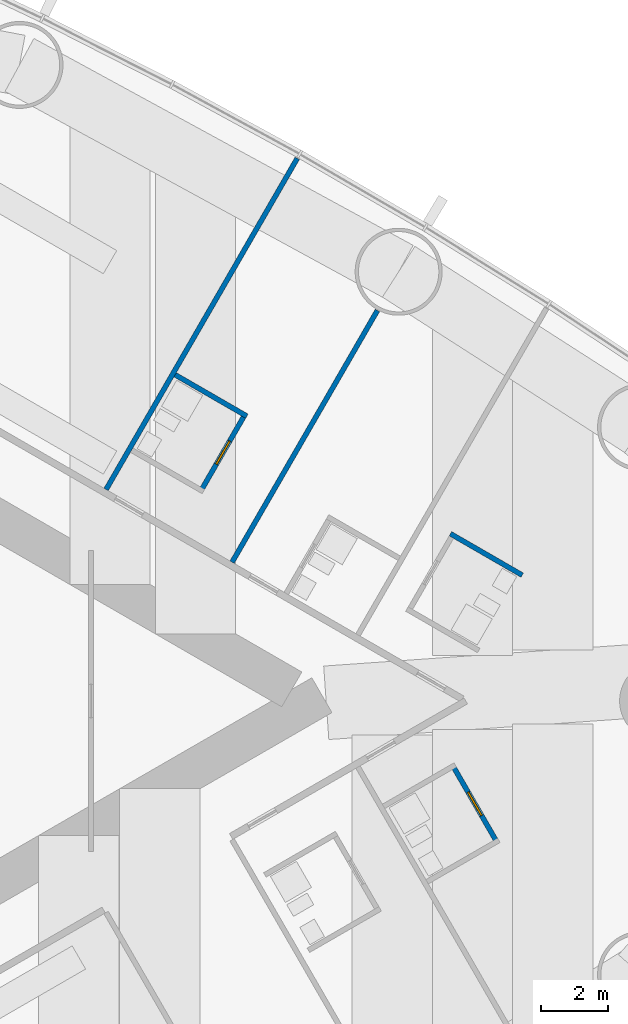
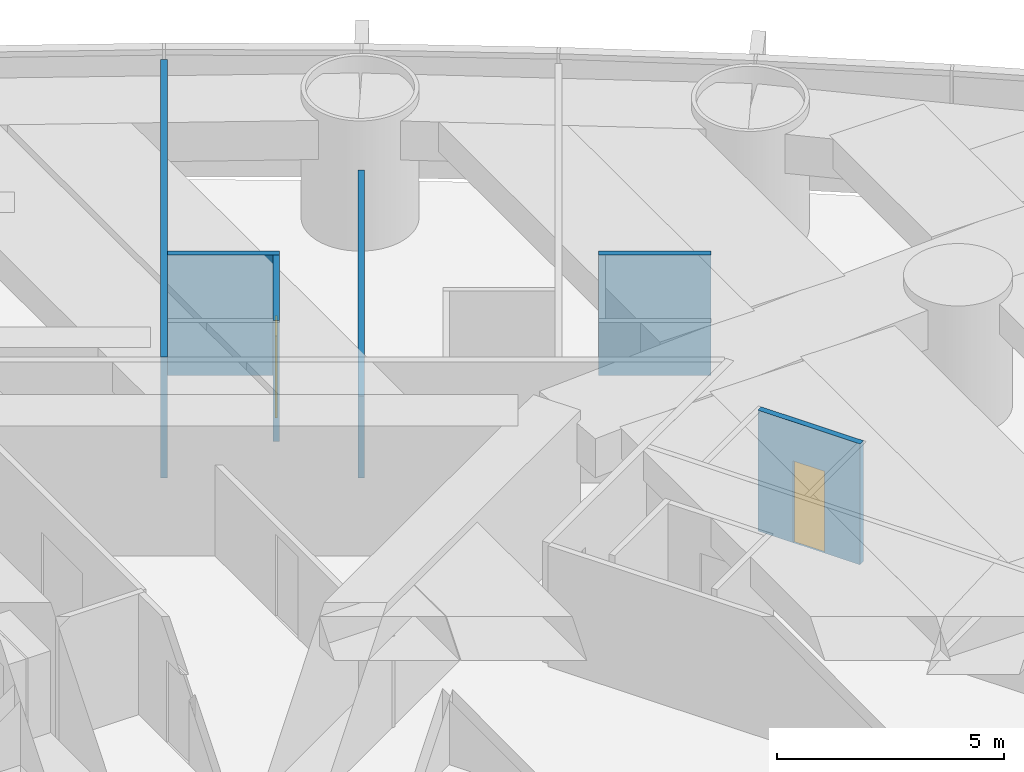
# One storey, part 15 of 18: 6 walls, 2 doors, 2 openings.
"""IFC4 building model written with IfcOpenShell, lengths in metres."""

import ifcopenshell
import ifcopenshell.guid

model = None  # the IFC model being written
_history = None  # IfcOwnerHistory: only IFC2X3 demands one
_inside = {}  # id of a spatial element -> (the spatial element, [elements in it])
_under = {}  # id of a project, library or spatial element -> (it, [spatial elements below it])
_declared = {}  # id of a project -> (the project, [libraries it declares])
_typed = {}  # id of a type object -> (the type object, [elements of that type])
_made_of = {}  # id of a material, layer set ... -> (it, [elements and type objects made of it])


def new_model(schema):
    """Start an empty IFC model of exactly this schema.

    Asked for "IFC4X3", IfcOpenShell would pick the latest addendum, in which some entities
    have other attributes; the version numbers below select the first issue.
    IFC2X3 requires an IfcOwnerHistory on every rooted entity: one is made here for all.
    """
    global model, _history
    if schema == "IFC4X3":
        model = ifcopenshell.file(schema_version=(4, 3, 0, 0))
    else:
        model = ifcopenshell.file(schema=schema)
    _inside.clear()
    _under.clear()
    _declared.clear()
    _typed.clear()
    _made_of.clear()
    _history = None
    if model.schema == "IFC2X3":
        org = make("IfcOrganization", Name="unknown")
        user = make(
            "IfcPersonAndOrganization",
            ThePerson=make("IfcPerson", FamilyName="unknown"),
            TheOrganization=org,
        )
        app = make(
            "IfcApplication",
            ApplicationDeveloper=org,
            Version="unknown",
            ApplicationFullName="unknown",
            ApplicationIdentifier="unknown",
        )
        _history = make(
            "IfcOwnerHistory",
            OwningUser=user,
            OwningApplication=app,
            ChangeAction="ADDED",
            CreationDate=0,
        )
    return model


def make(cls, **values):
    """One entity of the class cls with the attributes given. An attribute that is None is left unset."""
    return model.create_entity(
        cls, **{name: value for name, value in values.items() if value is not None}
    )


def rooted(cls, **values):
    """An entity with a GlobalId (a new one), such as an element, a storey or a relation."""
    return make(cls, GlobalId=ifcopenshell.guid.new(), OwnerHistory=_history, **values)


def si_unit(unit_type, name, prefix=None):
    """IfcSIUnit, for example si_unit("LENGTHUNIT", "METRE", prefix="MILLI")."""
    return make("IfcSIUnit", UnitType=unit_type, Prefix=prefix, Name=name)


def assignment(units):
    """IfcUnitAssignment: the units of a project."""
    return None if units is None else make("IfcUnitAssignment", Units=units)


def point(xyz):
    """IfcCartesianPoint."""
    return None if xyz is None else make("IfcCartesianPoint", Coordinates=xyz)


def direction(xyz):
    """IfcDirection."""
    return None if xyz is None else make("IfcDirection", DirectionRatios=xyz)


def frame(location, z_axis=None, x_axis=None):
    """IfcAxis2Placement3D, a coordinate frame: its origin and axes. An axis left out is left unset."""
    return make(
        "IfcAxis2Placement3D",
        Location=point(location),
        Axis=direction(z_axis),
        RefDirection=direction(x_axis),
    )


def frame_2d(location, x_axis=None):
    """IfcAxis2Placement2D, a coordinate frame in the plane: its origin and x axis."""
    return make(
        "IfcAxis2Placement2D", Location=point(location), RefDirection=direction(x_axis)
    )


def origin():
    """The frame at (0, 0, 0) with its axes left unset."""
    return frame((0.0, 0.0, 0.0))


def place(relative_to, where):
    """IfcLocalPlacement: puts the frame where relative to a parent placement (None: the world)."""
    return make(
        "IfcLocalPlacement", PlacementRelTo=relative_to, RelativePlacement=where
    )


def context(
    kind, dimensions, precision=None, world=None, true_north=None, identifier=None
):
    """IfcGeometricRepresentationContext, for example the 3D "Model" context."""
    return make(
        "IfcGeometricRepresentationContext",
        ContextIdentifier=identifier,
        ContextType=kind,
        CoordinateSpaceDimension=dimensions,
        Precision=precision,
        WorldCoordinateSystem=world,
        TrueNorth=true_north,
    )


def subcontext(parent, identifier, kind, view, scale=None):
    """IfcGeometricRepresentationSubContext, for example "Body" below "Model"."""
    return make(
        "IfcGeometricRepresentationSubContext",
        ContextIdentifier=identifier,
        ContextType=kind,
        ParentContext=parent,
        TargetScale=scale,
        TargetView=view,
    )


def project(units=None, contexts=None):
    """IfcProject with its units and contexts."""
    return rooted(
        "IfcProject",
        Name="project",
        RepresentationContexts=contexts,
        UnitsInContext=assignment(units),
    )


def spatial(cls, under=None, at=None, **own):
    """A site, building, storey or space (cls), placed at a placement, below another one or the project."""
    s = rooted(cls, ObjectPlacement=at, **own)
    if under is not None:
        _under.setdefault(under.id(), (under, []))[1].append(s)
    return s


def profile(cls, at=None, kind="AREA", **sizes):
    """A parametric profile (cls). Its sizes go by their IFC names, for example OverallWidth=200.0."""
    return make(cls, ProfileType=kind, Position=at, **sizes)


def rectangle(**sizes):
    """IfcRectangleProfileDef."""
    return profile("IfcRectangleProfileDef", **sizes)


def extrude(swept, where, along, depth):
    """IfcExtrudedAreaSolid: the profile swept, set in the frame where, extruded along a direction by depth."""
    return make(
        "IfcExtrudedAreaSolid",
        SweptArea=swept,
        Position=where,
        ExtrudedDirection=direction(along),
        Depth=depth,
    )


def shape(context_of_items, identifier, shape_type, items):
    """IfcShapeRepresentation: the items that make up one representation, for example the "Body"."""
    return make(
        "IfcShapeRepresentation",
        ContextOfItems=context_of_items,
        RepresentationIdentifier=identifier,
        RepresentationType=shape_type,
        Items=items,
    )


def material(Name=None, Category=None):
    """IfcMaterial."""
    return make("IfcMaterial", Name=Name, Category=Category)


def layer(
    of_material, thickness, ventilated=None, Name=None, Category=None, Priority=None
):
    """IfcMaterialLayer: one layer of a wall or slab, of a material (None: an air gap)."""
    return make(
        "IfcMaterialLayer",
        Material=of_material,
        LayerThickness=thickness,
        IsVentilated=ventilated,
        Name=Name,
        Category=Category,
        Priority=Priority,
    )


def layer_set(layers, Name=None):
    """IfcMaterialLayerSet."""
    return make("IfcMaterialLayerSet", MaterialLayers=layers, LayerSetName=Name)


def made_of(thing, what):
    """Note that an element or type object is made of a material, layer set ...; save() writes the relation."""
    if what is not None:
        _made_of.setdefault(what.id(), (what, []))[1].append(thing)
    return thing


def type_object(cls, material=None, **own):
    """A type object (cls), such as IfcWallType, which elements share."""
    return made_of(rooted(cls, **own), material)


def element(
    cls,
    number,
    at=None,
    inside=None,
    cuts=None,
    type_object=None,
    material=None,
    context=None,
    identifier="Body",
    shape_type=None,
    held_by="IfcProductDefinitionShape",
    body=None,
    shapes=None,
    **own,
):
    """One element of the class cls, such as IfcWall. Its Tag is "e" and its number.

    at: its placement. inside: the storey or other place that contains it. cuts: it is an
    opening in that element (IfcRelVoidsElement). A single representation is given by context,
    identifier, shape_type and body (its items); several are given by shapes. held_by: the class
    of the entity that holds the representations. save() writes the other relations.
    """
    e = rooted(cls, Tag="e%d" % number, ObjectPlacement=at, **own)
    if body is not None:
        shapes = [shape(context, identifier, shape_type, body)]
    if shapes is not None:
        e.Representation = make(held_by, Representations=shapes)
    if inside is not None:
        _inside.setdefault(inside.id(), (inside, []))[1].append(e)
    if cuts is not None:
        rooted(
            "IfcRelVoidsElement", RelatingBuildingElement=cuts, RelatedOpeningElement=e
        )
    if type_object is not None:
        _typed.setdefault(type_object.id(), (type_object, []))[1].append(e)
    return made_of(e, material)


def fill(opening, filler):
    """IfcRelFillsElement: the door or window that sits in an opening."""
    return rooted(
        "IfcRelFillsElement",
        RelatingOpeningElement=opening,
        RelatedBuildingElement=filler,
    )


def aggregate(whole, parts):
    """IfcRelAggregates: a whole, such as a stair, and the parts it consists of."""
    return rooted("IfcRelAggregates", RelatingObject=whole, RelatedObjects=parts)


def save(model, path):
    """Write the relations noted so far, then the file.

    IfcRelAggregates (storeys below a building ...), IfcRelContainedInSpatialStructure (elements
    in a storey), IfcRelDefinesByType, IfcRelAssociatesMaterial and IfcRelDeclares: one each for
    every whole, place, type object, material and project.
    """
    for whole, parts in _under.values():
        aggregate(whole, parts)
    for where, things in _inside.values():
        rooted(
            "IfcRelContainedInSpatialStructure",
            RelatedElements=things,
            RelatingStructure=where,
        )
    for kind, things in _typed.values():
        rooted("IfcRelDefinesByType", RelatedObjects=things, RelatingType=kind)
    for what, things in _made_of.values():
        rooted("IfcRelAssociatesMaterial", RelatedObjects=things, RelatingMaterial=what)
    for by, libraries in _declared.values():
        rooted("IfcRelDeclares", RelatingContext=by, RelatedDefinitions=libraries)
    model.write(path)


model = new_model("IFC4")

# Units and contexts
model_context = context("Model", 3, precision=1e-05, world=origin(), true_north=direction((0.0, 1.0)))
body_context = subcontext(model_context, "Body", "Model", "MODEL_VIEW")
ifc_project = project(units=[si_unit("LENGTHUNIT", "METRE"), si_unit("AREAUNIT", "SQUARE_METRE"), si_unit("VOLUMEUNIT", "CUBIC_METRE"), si_unit("PLANEANGLEUNIT", "RADIAN"), si_unit("MASSUNIT", "GRAM", prefix="KILO")], contexts=[model_context])

# Site, building, storey
site_placement = place(None, origin())
site = spatial("IfcSite", under=ifc_project, at=site_placement, CompositionType="ELEMENT")
building_placement = place(site_placement, origin())
building = spatial("IfcBuilding", under=site, at=building_placement, Name="Lancet Gate Hotel", CompositionType="ELEMENT")
storey_placement = place(building_placement, frame((0.0, 0.0, 108.10009765625)))
storey = spatial("IfcBuildingStorey", under=building, at=storey_placement, Name="L28", CompositionType="ELEMENT", Elevation=108.10009765625)

# Wall, opening, door
ifc_material_1 = material(Name="Moisture resistant board partition")
ifc_layer_1 = layer(ifc_material_1, 0.14990234375)
ifc_layer_set_1 = layer_set([ifc_layer_1], Name="Bathroom wall 150")
wall_type_1 = type_object("IfcWallType", Name="Bathroom wall 150", PredefinedType="PARTITIONING", material=ifc_layer_set_1)
wall_1_placement = place(storey_placement, frame((55.32470703125, -1.949951171875, 0.0), z_axis=(0.0, 0.0, 1.0), x_axis=(0.500006934395, -0.866021400173, 0.0)))
wall_1 = element("IfcWall", 1, at=wall_1_placement, inside=storey, type_object=wall_type_1, Name="T2 bathroom wall 150 L28", PredefinedType="PARTITIONING", context=body_context, shape_type="SweptSolid", body=[
    extrude(rectangle(XDim=2.60009765625, YDim=0.14990234375, at=frame_2d((1.300048828125, 0.0))), origin(), (0.0, 0.0, 1.0), 3.25),
])
opening_1_placement = place(wall_1_placement, frame((0.89990234375, 0.0, 0.0)))
opening_1 = element("IfcOpeningElement", 2, at=opening_1_placement, cuts=wall_1, Name="Opening 2857-B", PredefinedType="OPENING", context=body_context, shape_type="SweptSolid", body=[
    extrude(rectangle(XDim=0.800048828125, YDim=2.199951171875, at=frame_2d((0.39990234375, 1.10009765625))), frame((0.0, 0.0849609375, 0.0), z_axis=(0.0, -1.0, 0.0), x_axis=(1.0, 0.0, 0.0)), (0.0, 0.0, 1.0), 0.169921875),
])
ifc_material_2 = material(Name="Timber door set", Category="wood")
door_type = type_object("IfcDoorType", Name="Bathroom door 800", OperationType="SINGLE_SWING_RIGHT", PredefinedType="DOOR", material=ifc_material_2)
door_1_placement = place(opening_1_placement, origin())
door_1 = element("IfcDoor", 3, at=door_1_placement, inside=storey, type_object=door_type, Name="2857-B", OperationType="SINGLE_SWING_RIGHT", OverallHeight=2.199951171875, OverallWidth=0.800048828125, PredefinedType="DOOR", context=body_context, shape_type="SweptSolid", body=[
    extrude(rectangle(XDim=0.800048828125, YDim=2.199951171875, at=frame_2d((0.39990234375, 1.10009765625))), frame((0.0, 0.02490234375, 0.0), z_axis=(0.0, -1.0, 0.0), x_axis=(1.0, 0.0, 0.0)), (0.0, 0.0, 1.0), 0.050048828125),
])
fill(opening_1, door_1)

# Walls
for number, where, z_axis, x_axis, name in (
    (4, (55.2451171875, 4.998291015625, 0.0), (0.0, 0.0, 1.0), (0.866006523861, -0.500032699561, 0.0), "T2 bathroom wall 150 L28"),
    (5, (47.0185546875, 9.747802734375, 0.0), (0.0, 0.0, 1.0), (0.866006523861, -0.500032699561, 0.0), "T2 bathroom wall 150 L28"),
):
    element("IfcWall", number, at=place(storey_placement, frame(where, z_axis=z_axis, x_axis=x_axis)), inside=storey, type_object=wall_type_1, Name=name, PredefinedType="PARTITIONING", context=body_context, shape_type="SweptSolid", body=[
        extrude(rectangle(XDim=2.474853515625, YDim=0.14990234375, at=frame_2d((1.2373046875, 0.0))), origin(), (0.0, 0.0, 1.0), 3.25),
    ])

# Wall, opening, door
wall_2_placement = place(storey_placement, frame((47.797119140625, 6.296142578125, 0.0), z_axis=(0.0, 0.0, 1.0), x_axis=(0.499936506574, 0.866062058628, 0.0)))
wall_2 = element("IfcWall", 6, at=wall_2_placement, inside=storey, type_object=wall_type_1, Name="T2 bathroom wall 150 L28", PredefinedType="PARTITIONING", context=body_context, shape_type="SweptSolid", body=[
    extrude(rectangle(XDim=2.599853515625, YDim=0.14990234375, at=frame_2d((1.2998046875, 0.0))), origin(), (0.0, 0.0, 1.0), 3.25),
])
opening_2_placement = place(wall_2_placement, frame((0.89990234375, 0.0, 0.0)))
opening_2 = element("IfcOpeningElement", 7, at=opening_2_placement, cuts=wall_2, Name="Opening 2860-B", PredefinedType="OPENING", context=body_context, shape_type="SweptSolid", body=[
    extrude(rectangle(XDim=0.800048828125, YDim=2.199951171875, at=frame_2d((0.39990234375, 1.10009765625))), frame((0.0, 0.0849609375, 0.0), z_axis=(0.0, -1.0, 0.0), x_axis=(1.0, 0.0, 0.0)), (0.0, 0.0, 1.0), 0.169921875),
])
door_2_placement = place(opening_2_placement, origin())
door_2 = element("IfcDoor", 8, at=door_2_placement, inside=storey, type_object=door_type, Name="2860-B", OperationType="SINGLE_SWING_RIGHT", OverallHeight=2.199951171875, OverallWidth=0.800048828125, PredefinedType="DOOR", context=body_context, shape_type="SweptSolid", body=[
    extrude(rectangle(XDim=0.800048828125, YDim=2.199951171875, at=frame_2d((0.39990234375, 1.10009765625))), frame((0.0, 0.02490234375, 0.0), z_axis=(0.0, -1.0, 0.0), x_axis=(1.0, 0.0, 0.0)), (0.0, 0.0, 1.0), 0.050048828125),
])
fill(opening_2, door_2)

# Walls
ifc_material_3 = material(Name="Gypsum board partition")
ifc_layer_2 = layer(ifc_material_3, 0.14990234375)
ifc_layer_set_2 = layer_set([ifc_layer_2], Name="Party wall 150")
wall_type_2 = type_object("IfcWallType", Name="Party wall 150", PredefinedType="PARTITIONING", material=ifc_layer_set_2)
wall_3_placement = place(storey_placement, frame((44.95361328125, 6.3212890625, 0.0), z_axis=(0.0, 0.0, 1.0), x_axis=(0.500009815811, 0.866019736549, 0.0)))
element("IfcWall", 9, at=wall_3_placement, inside=storey, type_object=wall_type_2, Name="T2 party wall 150 L28", PredefinedType="PARTITIONING", context=body_context, shape_type="SweptSolid", body=[
    extrude(rectangle(XDim=11.423583984375, YDim=0.14990234375, at=frame_2d((5.7119140625, 0.0))), origin(), (0.0, 0.0, 1.0), 3.25),
])
wall_4_placement = place(storey_placement, frame((48.718505859375, 4.1474609375, 0.0), z_axis=(0.0, 0.0, 1.0), x_axis=(0.499993328235, 0.866029255696, 0.0)))
element("IfcWall", 10, at=wall_4_placement, inside=storey, type_object=wall_type_2, Name="T2 party wall 150 L28", PredefinedType="PARTITIONING", context=body_context, shape_type="SweptSolid", body=[
    extrude(rectangle(XDim=8.68603515625, YDim=0.14990234375, at=frame_2d((4.343017578125, 0.0))), origin(), (0.0, 0.0, 1.0), 2.199951171875),
])

save(model, "model.ifc")
